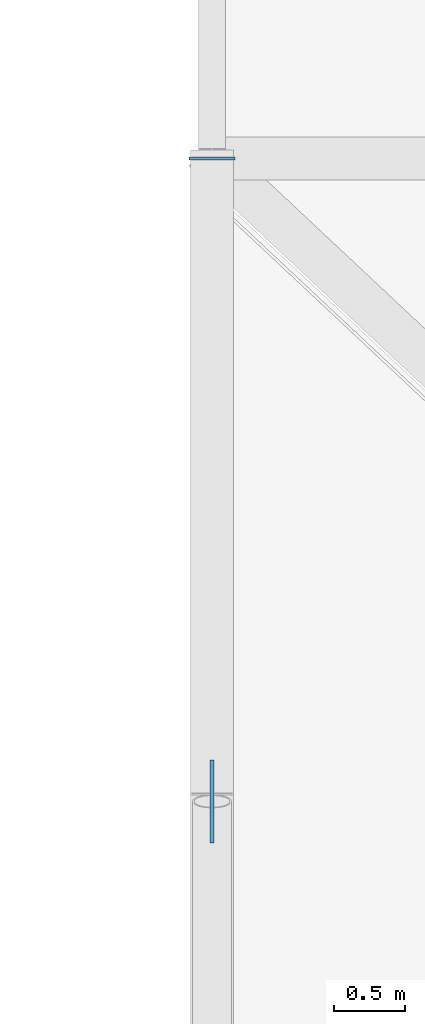
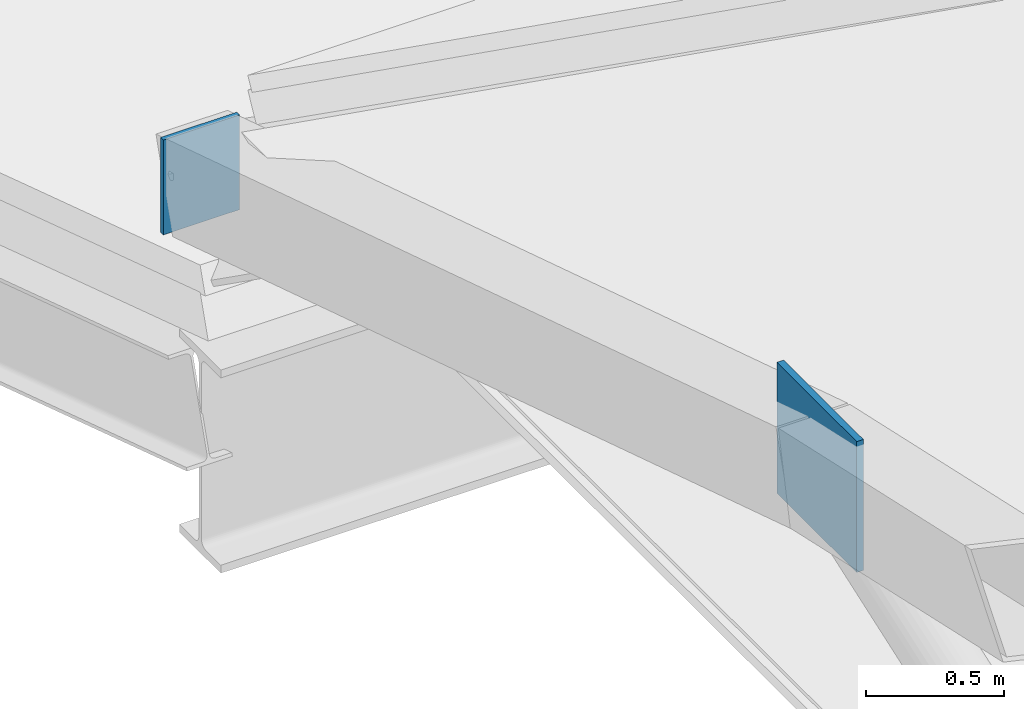
# One storey, part 6 of 16: 2 plates.
"""IFC4 building model written with IfcOpenShell, lengths in metres."""

from ifc_helpers import new_model, si_unit, direction, frame, origin, origin_2d, place, context, subcontext, project, spatial, rectangle, extrude, material, layer, layer_set, type_object, element, save


model = new_model("IFC4")

# Units and contexts
model_context = context("Model", 3, precision=1e-05, world=origin(), true_north=direction((0.0, 1.0)))
body_context = subcontext(model_context, "Body", "Model", "MODEL_VIEW")
ifc_project = project(units=[si_unit("LENGTHUNIT", "METRE"), si_unit("AREAUNIT", "SQUARE_METRE"), si_unit("VOLUMEUNIT", "CUBIC_METRE"), si_unit("PLANEANGLEUNIT", "RADIAN"), si_unit("MASSUNIT", "GRAM", prefix="KILO")], contexts=[model_context])

# Site, building, storey
site_placement = place(None, origin())
site = spatial("IfcSite", under=ifc_project, at=site_placement, CompositionType="ELEMENT")
building_placement = place(site_placement, origin())
building = spatial("IfcBuilding", under=site, at=building_placement, Name="Zarnetskaya Central Station", CompositionType="ELEMENT")
storey_placement = place(building_placement, frame((0.0, 0.0, 27.0)))
storey = spatial("IfcBuildingStorey", under=building, at=storey_placement, Name="RF", CompositionType="ELEMENT", Elevation=27.0)

# Plates
ifc_material = material(Name="Steel S355", Category="steel")
ifc_layer_1 = layer(ifc_material, 0.02001953125, Name="Steel S355", Category="steel")
ifc_layer_set_1 = layer_set([ifc_layer_1], Name="Steel S355")
plate_type_1 = type_object("IfcPlateType", Name="ND-ENDCAP-20", PredefinedType="SHEET", material=ifc_layer_set_1)
plate_1_placement = place(storey_placement, frame((57.60009765625, 58.199951171875, -13.10986328125), z_axis=(0.0, 0.0, 1.0), x_axis=(1.0, 0.0, 0.0)))
element("IfcPlate", 1, at=plate_1_placement, inside=storey, type_object=plate_type_1, Name="ROOF TRUSS RT-01 end cap plate 2", PredefinedType="SHEET", context=body_context, shape_type="SweptSolid", body=[
    extrude(rectangle(XDim=0.320068359375, YDim=0.02001953125, at=origin_2d()), origin(), (0.0, 0.0, 1.0), 0.419921875),
])
ifc_layer_2 = layer(ifc_material, 0.028076171875, Name="Steel S355", Category="steel")
ifc_layer_set_2 = layer_set([ifc_layer_2], Name="Steel S355")
plate_type_2 = type_object("IfcPlateType", Name="ND-GUSSET-28", PredefinedType="USERDEFINED", material=ifc_layer_set_2)
plate_2_placement = place(storey_placement, frame((57.60009765625, 53.699951171875, -11.75830078125), z_axis=(0.0, 0.0, 1.0), x_axis=(1.0, 0.0, 0.0)))
element("IfcPlate", 2, at=plate_2_placement, inside=storey, type_object=plate_type_2, Name="ROOF TRUSS RT-01 gusset node plate 7", ObjectType="GUSSET PLATE", PredefinedType="USERDEFINED", context=body_context, shape_type="SweptSolid", body=[
    extrude(rectangle(XDim=0.028076171875, YDim=0.580078125, at=origin_2d()), origin(), (0.0, 0.0, 1.0), 0.580078125),
])

save(model, "model.ifc")
